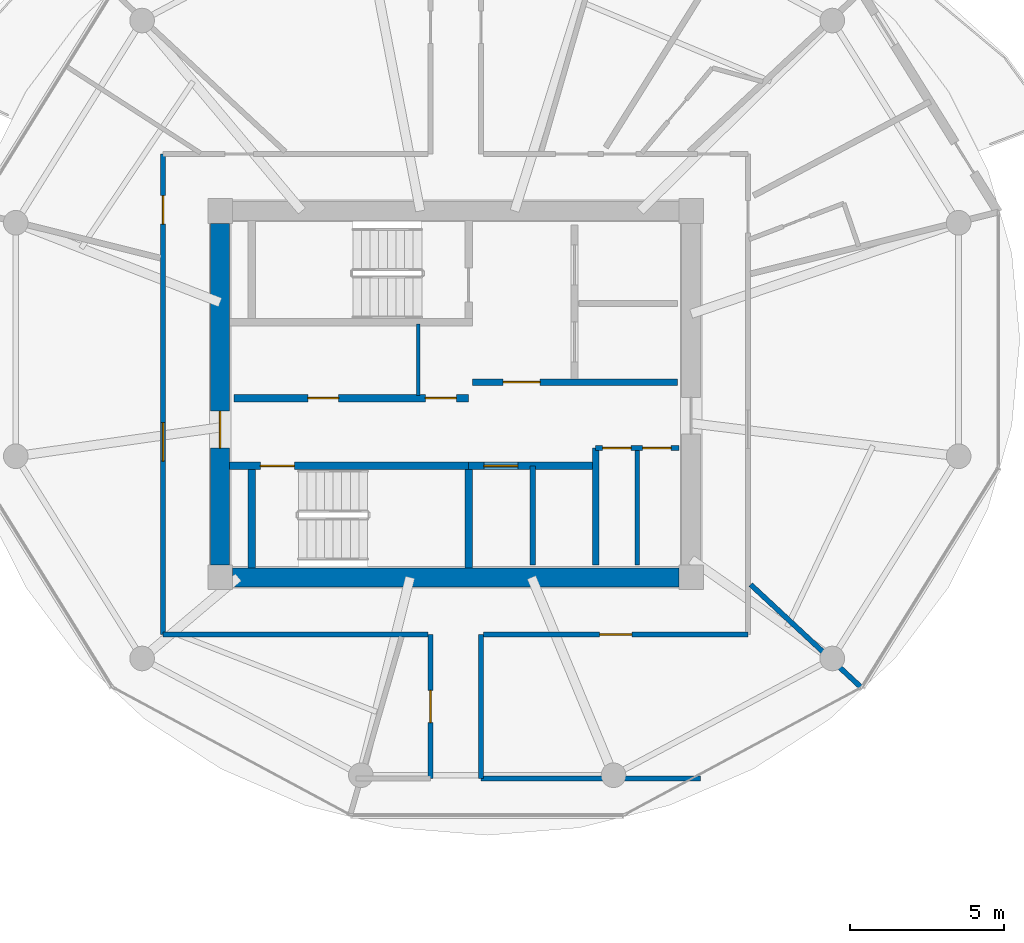
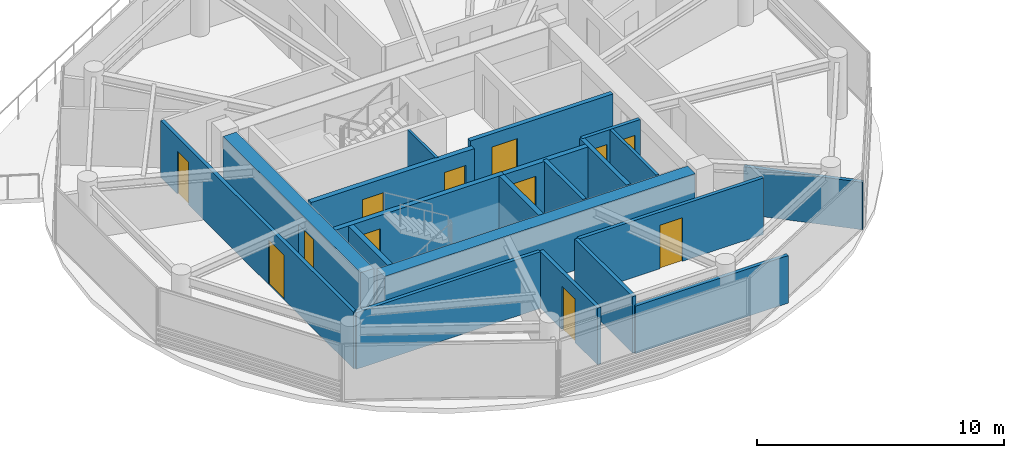
# One storey, part 12 of 21: 20 walls, 12 doors, 12 openings.
"""IFC4 building model written with IfcOpenShell, lengths in metres."""

from ifc_helpers import new_model, si_unit, direction, frame, frame_2d, origin, place, context, subcontext, project, spatial, rectangle, extrude, source, transform, mapped, material, layer, layer_set, type_object, type_shapes, element, fill, save


model = new_model("IFC4")

# Units and contexts
model_context = context("Model", 3, precision=1e-05, world=origin(), true_north=direction((0.0, 1.0)))
body_context = subcontext(model_context, "Body", "Model", "MODEL_VIEW")
ifc_project = project(units=[si_unit("LENGTHUNIT", "METRE"), si_unit("AREAUNIT", "SQUARE_METRE"), si_unit("VOLUMEUNIT", "CUBIC_METRE"), si_unit("PLANEANGLEUNIT", "RADIAN"), si_unit("MASSUNIT", "GRAM", prefix="KILO")], contexts=[model_context])

# Site, building, storey
site_placement = place(None, origin())
site = spatial("IfcSite", under=ifc_project, at=site_placement, CompositionType="ELEMENT")
building_placement = place(site_placement, origin())
building = spatial("IfcBuilding", under=site, at=building_placement, Name="Norrkilde Senior Care Towers", CompositionType="ELEMENT")
storey_placement = place(building_placement, frame((0.0, 0.0, 143.449951171875)))
storey = spatial("IfcBuildingStorey", under=building, at=storey_placement, Name="L44", CompositionType="ELEMENT", Elevation=143.449951171875)

# Wall
ifc_material_1 = material(Name="Concrete C50/60", Category="concrete")
ifc_layer_1 = layer(ifc_material_1, 0.6201171875)
ifc_layer_set_1 = layer_set([ifc_layer_1], Name="Concrete C50/60")
wall_type_1 = type_object("IfcWallType", Name="Core Shear Wall Z3 620", PredefinedType="SHEAR", material=ifc_layer_set_1)
shared_shape_1 = source(origin(), body_context, "Body", "SweptSolid", [
    extrude(rectangle(XDim=14.5, YDim=0.6201171875, at=frame_2d((7.25, 0.0))), origin(), (0.0, 0.0, 1.0), 2.81005859375),
])
wall_1_placement = place(storey_placement, frame((-20.75, -5.949951171875, 0.0), z_axis=(0.0, 0.0, 1.0), x_axis=(-1.0, 0.0, 0.0)))
element("IfcWall", 1, at=wall_1_placement, inside=storey, type_object=wall_type_1, Name="L44 Core W South Shear Wall", PredefinedType="SHEAR", context=body_context, shape_type="MappedRepresentation", body=[
    mapped(shared_shape_1, transform((0.0, 0.0, 0.0), x_axis=(1.0, 0.0, 0.0), y_axis=(0.0, 1.0, 0.0), z_axis=(0.0, 0.0, 1.0), scale=1.0)),
])

# Wall, opening, door
shared_shape_2 = source(origin(), body_context, "Body", "SweptSolid", [
    extrude(rectangle(XDim=11.10009765625, YDim=0.6201171875, at=frame_2d((5.550048828125, 0.0))), origin(), (0.0, 0.0, 1.0), 2.81005859375),
])
type_shapes(wall_type_1, [shared_shape_1, shared_shape_2])
wall_2_placement = place(storey_placement, frame((-35.64990234375, -5.550048828125, 0.0), z_axis=(0.0, 0.0, 1.0), x_axis=(0.0, 1.0, 0.0)))
wall_2 = element("IfcWall", 2, at=wall_2_placement, inside=storey, type_object=wall_type_1, Name="L44 Core W West Shear Wall", PredefinedType="SHEAR", context=body_context, shape_type="MappedRepresentation", body=[
    mapped(shared_shape_2, transform((0.0, 0.0, 0.0), x_axis=(1.0, 0.0, 0.0), y_axis=(0.0, 1.0, 0.0), z_axis=(0.0, 0.0, 1.0), scale=1.0)),
])
opening_1_placement = place(wall_2_placement, frame((3.800048828125, 0.0, 0.0)))
opening_1 = element("IfcOpeningElement", 3, at=opening_1_placement, cuts=wall_2, Name="Opening D-04", PredefinedType="OPENING", context=body_context, shape_type="SweptSolid", body=[
    extrude(rectangle(XDim=1.199951171875, YDim=2.14990234375, at=frame_2d((0.60009765625, 1.074951171875))), frame((0.0, 0.320068359375, 0.0), z_axis=(0.0, -1.0, 0.0), x_axis=(1.0, 0.0, 0.0)), (0.0, 0.0, 1.0), 0.64013671875),
])
ifc_material_2 = material(Name="Galvanised Painted Steel", Category="steel")
door_type_1 = type_object("IfcDoorType", Name="Firefighting Lobby Fire Door 1200x2150", OperationType="NOTDEFINED", PredefinedType="DOOR", material=ifc_material_2)
shared_shape_3 = source(origin(), body_context, "Body", "SweptSolid", [
    extrude(rectangle(XDim=1.199951171875, YDim=2.14990234375, at=frame_2d((0.60009765625, 1.074951171875))), frame((0.0, 0.02490234375, 0.0), z_axis=(0.0, -1.0, 0.0), x_axis=(1.0, 0.0, 0.0)), (0.0, 0.0, 1.0), 0.050048828125),
])
type_shapes(door_type_1, [shared_shape_3])
door_1_placement = place(opening_1_placement, frame((1.199951171875, 0.0, 0.0), z_axis=(0.0, 0.0, 1.0), x_axis=(-1.0, 0.0, 0.0)))
door_1 = element("IfcDoor", 4, at=door_1_placement, inside=storey, type_object=door_type_1, Name="L44 Core W West Portal Door", OperationType="SINGLE_SWING_LEFT", OverallHeight=2.14990234375, OverallWidth=1.199951171875, PredefinedType="DOOR", context=body_context, shape_type="MappedRepresentation", body=[
    mapped(shared_shape_3, transform((0.0, 0.0, 0.0), x_axis=(1.0, 0.0, 0.0), y_axis=(0.0, 1.0, 0.0), z_axis=(0.0, 0.0, 1.0), scale=1.0)),
])
fill(opening_1, door_1)

ifc_material_3 = material(Name="Concrete C45/55", Category="concrete")
ifc_layer_2 = layer(ifc_material_3, 0.239990234375)
ifc_layer_set_2 = layer_set([ifc_layer_2], Name="Concrete C45/55")
wall_type_2 = type_object("IfcWallType", Name="Shaft and Stair Enclosure Wall 240", PredefinedType="PARTITIONING", material=ifc_layer_set_2)
shared_shape_4 = source(origin(), body_context, "Body", "SweptSolid", [
    extrude(rectangle(XDim=7.880126953125, YDim=0.239990234375, at=frame_2d((3.93994140625, 0.0))), origin(), (0.0, 0.0, 1.0), 2.81005859375),
])
wall_3_placement = place(storey_placement, frame((-35.340087890625, -2.330078125, 0.0), z_axis=(0.0, 0.0, 1.0), x_axis=(1.0, 0.0, 0.0)))
wall_3 = element("IfcWall", 5, at=wall_3_placement, inside=storey, type_object=wall_type_2, Name="WL-INT-L44-W-ST2N", PredefinedType="PARTITIONING", context=body_context, shape_type="MappedRepresentation", body=[
    mapped(shared_shape_4, transform((0.0, 0.0, 0.0), x_axis=(1.0, 0.0, 0.0), y_axis=(0.0, 1.0, 0.0), z_axis=(0.0, 0.0, 1.0), scale=1.0)),
])
opening_2_placement = place(wall_3_placement, frame((1.0, 0.0, 0.0)))
opening_2 = element("IfcOpeningElement", 6, at=opening_2_placement, cuts=wall_3, Name="Opening D-03", PredefinedType="OPENING", context=body_context, shape_type="SweptSolid", body=[
    extrude(rectangle(XDim=1.10009765625, YDim=2.14990234375, at=frame_2d((0.550048828125, 1.074951171875))), frame((0.0, 0.1298828125, 0.0), z_axis=(0.0, -1.0, 0.0), x_axis=(1.0, 0.0, 0.0)), (0.0, 0.0, 1.0), 0.260009765625),
])
door_type_2 = type_object("IfcDoorType", Name="Stairwell Protected Fire Door 1100x2150", OperationType="NOTDEFINED", PredefinedType="DOOR", material=ifc_material_2)
shared_shape_5 = source(origin(), body_context, "Body", "SweptSolid", [
    extrude(rectangle(XDim=1.10009765625, YDim=2.14990234375, at=frame_2d((0.550048828125, 1.074951171875))), frame((0.0, 0.02490234375, 0.0), z_axis=(0.0, -1.0, 0.0), x_axis=(1.0, 0.0, 0.0)), (0.0, 0.0, 1.0), 0.050048828125),
])
type_shapes(door_type_2, [shared_shape_5])
door_2_placement = place(opening_2_placement, frame((1.10009765625, 0.0, 0.0), z_axis=(0.0, 0.0, 1.0), x_axis=(-1.0, 0.0, 0.0)))
door_2 = element("IfcDoor", 7, at=door_2_placement, inside=storey, type_object=door_type_2, Name="L44 Stair W2 Fire Door", OperationType="SINGLE_SWING_RIGHT", OverallHeight=2.14990234375, OverallWidth=1.10009765625, PredefinedType="DOOR", context=body_context, shape_type="MappedRepresentation", body=[
    mapped(shared_shape_5, transform((0.0, 0.0, 0.0), x_axis=(1.0, 0.0, 0.0), y_axis=(0.0, 1.0, 0.0), z_axis=(0.0, 0.0, 1.0), scale=1.0)),
])
fill(opening_2, door_2)

# Walls
shared_shape_6 = source(origin(), body_context, "Body", "SweptSolid", [
    extrude(rectangle(XDim=3.18994140625, YDim=0.239990234375, at=frame_2d((1.594970703125, 0.0))), origin(), (0.0, 0.0, 1.0), 2.81005859375),
])
type_shapes(wall_type_2, [shared_shape_4, shared_shape_6])
for number, where, z_axis, x_axis, name in (
    (8, (-34.6201171875, -5.639892578125, 0.0), (0.0, 0.0, 1.0), (0.0, 1.0, 0.0), "WL-INT-L44-W-ST2W"),
    (9, (-27.580078125, -5.639892578125, 0.0), (0.0, 0.0, 1.0), (0.0, 1.0, 0.0), "WL-INT-L44-W-ST2E"),
):
    element("IfcWall", number, at=place(storey_placement, frame(where, z_axis=z_axis, x_axis=x_axis)), inside=storey, type_object=wall_type_2, Name=name, PredefinedType="PARTITIONING", context=body_context, shape_type="MappedRepresentation", body=[
        mapped(shared_shape_6, transform((0.0, 0.0, 0.0), x_axis=(1.0, 0.0, 0.0), y_axis=(0.0, 1.0, 0.0), z_axis=(0.0, 0.0, 1.0), scale=1.0)),
    ])
ifc_material_4 = material(Name="Gypsum Acoustic Board")
ifc_layer_3 = layer(ifc_material_4, 0.1650390625)
ifc_layer_set_3 = layer_set([ifc_layer_3], Name="Gypsum Acoustic Board")
wall_type_3 = type_object("IfcWallType", Name="Corridor Rated Partition 165", PredefinedType="PARTITIONING", material=ifc_layer_set_3)
shared_shape_7 = source(origin(), body_context, "Body", "SweptSolid", [
    extrude(rectangle(XDim=4.926513671875, YDim=0.1650390625, at=frame_2d((2.46337890625, 0.0))), origin(), (0.0, 0.0, 1.0), 2.344970703125),
])
wall_4_placement = place(storey_placement, frame((-18.419921875, -6.182861328125, 0.0), z_axis=(0.0, 0.0, 1.0), x_axis=(0.732191335987, -0.681098999783, 0.0)))
element("IfcWall", 10, at=wall_4_placement, inside=storey, type_object=wall_type_3, Name="WL-INT-L44-W-DEM-10-0", PredefinedType="PARTITIONING", context=body_context, shape_type="MappedRepresentation", body=[
    mapped(shared_shape_7, transform((0.0, 0.0, 0.0), x_axis=(1.0, 0.0, 0.0), y_axis=(0.0, 1.0, 0.0), z_axis=(0.0, 0.0, 1.0), scale=1.0)),
])
shared_shape_8 = source(origin(), body_context, "Body", "SweptSolid", [
    extrude(rectangle(XDim=7.138916015625, YDim=0.1650390625, at=frame_2d((3.5693359375, 0.0))), origin(), (0.0, 0.0, 1.0), 2.344970703125),
])
wall_5_placement = place(storey_placement, frame((-27.179931640625, -12.484619140625, 0.0), z_axis=(0.0, 0.0, 1.0), x_axis=(1.0, 0.0, 0.0)))
element("IfcWall", 11, at=wall_5_placement, inside=storey, type_object=wall_type_3, Name="WL-INT-L44-W-PKH-SEL-0", PredefinedType="PARTITIONING", context=body_context, shape_type="MappedRepresentation", body=[
    mapped(shared_shape_8, transform((0.0, 0.0, 0.0), x_axis=(1.0, 0.0, 0.0), y_axis=(0.0, 1.0, 0.0), z_axis=(0.0, 0.0, 1.0), scale=1.0)),
])

# Wall, opening, door
ifc_layer_4 = layer(ifc_material_3, 0.2099609375)
ifc_layer_set_4 = layer_set([ifc_layer_4], Name="Concrete C45/55")
wall_type_4 = type_object("IfcWallType", Name="Firefighting Lobby Wall 210", PredefinedType="PARTITIONING", material=ifc_layer_set_4)
shared_shape_9 = source(origin(), body_context, "Body", "SweptSolid", [
    extrude(rectangle(XDim=6.659912109375, YDim=0.2099609375, at=frame_2d((3.330078125, 0.0))), origin(), (0.0, 0.0, 1.0), 2.795166015625),
])
type_shapes(wall_type_4, [shared_shape_9])
wall_6_placement = place(storey_placement, frame((-27.4599609375, 0.389892578125, 0.0), z_axis=(0.0, 0.0, 1.0), x_axis=(1.0, 0.0, 0.0)))
wall_6 = element("IfcWall", 12, at=wall_6_placement, inside=storey, type_object=wall_type_4, Name="WL-INT-L44-W-FFLS", PredefinedType="PARTITIONING", context=body_context, shape_type="MappedRepresentation", body=[
    mapped(shared_shape_9, transform((0.0, 0.0, 0.0), x_axis=(1.0, 0.0, 0.0), y_axis=(0.0, 1.0, 0.0), z_axis=(0.0, 0.0, 1.0), scale=1.0)),
])
opening_3_placement = place(wall_6_placement, frame((1.0, 0.0, 0.0)))
opening_3 = element("IfcOpeningElement", 13, at=opening_3_placement, cuts=wall_6, Name="Opening D-04", PredefinedType="OPENING", context=body_context, shape_type="SweptSolid", body=[
    extrude(rectangle(XDim=1.199951171875, YDim=2.14990234375, at=frame_2d((0.60009765625, 1.074951171875))), frame((0.0, 0.114990234375, 0.0), z_axis=(0.0, -1.0, 0.0), x_axis=(1.0, 0.0, 0.0)), (0.0, 0.0, 1.0), 0.22998046875),
])
door_3_placement = place(opening_3_placement, frame((1.199951171875, 0.0, 0.0), z_axis=(0.0, 0.0, 1.0), x_axis=(-1.0, 0.0, 0.0)))
door_3 = element("IfcDoor", 14, at=door_3_placement, inside=storey, type_object=door_type_1, Name="L44 Firefighting Lobby W Door", OperationType="SINGLE_SWING_LEFT", OverallHeight=2.14990234375, OverallWidth=1.199951171875, PredefinedType="DOOR", context=body_context, shape_type="MappedRepresentation", body=[
    mapped(shared_shape_3, transform((0.0, 0.0, 0.0), x_axis=(1.0, 0.0, 0.0), y_axis=(0.0, 1.0, 0.0), z_axis=(0.0, 0.0, 1.0), scale=1.0)),
])
fill(opening_3, door_3)

# Wall, openings, doors
ifc_layer_5 = layer(ifc_material_3, 0.239990234375)
ifc_layer_set_5 = layer_set([ifc_layer_5], Name="Concrete C45/55")
wall_type_5 = type_object("IfcWallType", Name="Lift and Plant Rated Enclosure Partition 240", PredefinedType="PARTITIONING", material=ifc_layer_set_5)
shared_shape_10 = source(origin(), body_context, "Body", "SweptSolid", [
    extrude(rectangle(XDim=7.619873046875, YDim=0.239990234375, at=frame_2d((3.81005859375, 0.0))), origin(), (0.0, 0.0, 1.0), 2.795166015625),
])
wall_7_placement = place(storey_placement, frame((-35.199951171875, -0.1298828125, 0.0), z_axis=(0.0, 0.0, 1.0), x_axis=(1.0, 0.0, 0.0)))
wall_7 = element("IfcWall", 15, at=wall_7_placement, inside=storey, type_object=wall_type_5, Name="WL-INT-L44-W-PKAS", PredefinedType="PARTITIONING", context=body_context, shape_type="MappedRepresentation", body=[
    mapped(shared_shape_10, transform((0.0, 0.0, 0.0), x_axis=(1.0, 0.0, 0.0), y_axis=(0.0, 1.0, 0.0), z_axis=(0.0, 0.0, 1.0), scale=1.0)),
])
opening_4_placement = place(wall_7_placement, frame((6.219970703125, 0.0, 0.0)))
opening_4 = element("IfcOpeningElement", 16, at=opening_4_placement, cuts=wall_7, Name="Opening D-10", PredefinedType="OPENING", context=body_context, shape_type="SweptSolid", body=[
    extrude(rectangle(XDim=1.0, YDim=2.10009765625, at=frame_2d((0.5, 1.050048828125))), frame((0.0, 0.1298828125, 0.0), z_axis=(0.0, -1.0, 0.0), x_axis=(1.0, 0.0, 0.0)), (0.0, 0.0, 1.0), 0.260009765625),
])
opening_5_placement = place(wall_7_placement, frame((2.39990234375, 0.0, 0.0)))
opening_5 = element("IfcOpeningElement", 17, at=opening_5_placement, cuts=wall_7, Name="Opening D-10", PredefinedType="OPENING", context=body_context, shape_type="SweptSolid", body=[
    extrude(rectangle(XDim=1.0, YDim=2.10009765625, at=frame_2d((0.5, 1.050048828125))), frame((0.0, 0.1298828125, 0.0), z_axis=(0.0, -1.0, 0.0), x_axis=(1.0, 0.0, 0.0)), (0.0, 0.0, 1.0), 0.260009765625),
])
door_type_3 = type_object("IfcDoorType", Name="Plant and Riser Rated Door 1000x2100", OperationType="NOTDEFINED", PredefinedType="DOOR", material=ifc_material_2)
shared_shape_11 = source(origin(), body_context, "Body", "SweptSolid", [
    extrude(rectangle(XDim=1.0, YDim=2.10009765625, at=frame_2d((0.5, 1.050048828125))), frame((0.0, 0.02490234375, 0.0), z_axis=(0.0, -1.0, 0.0), x_axis=(1.0, 0.0, 0.0)), (0.0, 0.0, 1.0), 0.050048828125),
])
type_shapes(door_type_3, [shared_shape_11])
door_4_placement = place(opening_4_placement, frame((1.0, 0.0, 0.0), z_axis=(0.0, 0.0, 1.0), x_axis=(-1.0, 0.0, 0.0)))
door_4 = element("IfcDoor", 18, at=door_4_placement, inside=storey, type_object=door_type_3, Name="L44 Electrical Riser W Door", OperationType="SINGLE_SWING_LEFT", OverallHeight=2.10009765625, OverallWidth=1.0, PredefinedType="DOOR", context=body_context, shape_type="MappedRepresentation", body=[
    mapped(shared_shape_11, transform((0.0, 0.0, 0.0), x_axis=(1.0, 0.0, 0.0), y_axis=(0.0, 1.0, 0.0), z_axis=(0.0, 0.0, 1.0), scale=1.0)),
])
fill(opening_4, door_4)
door_5_placement = place(opening_5_placement, frame((1.0, 0.0, 0.0), z_axis=(0.0, 0.0, 1.0), x_axis=(-1.0, 0.0, 0.0)))
door_5 = element("IfcDoor", 19, at=door_5_placement, inside=storey, type_object=door_type_3, Name="L44 Clean Supply Store W Door", OperationType="SINGLE_SWING_LEFT", OverallHeight=2.10009765625, OverallWidth=1.0, PredefinedType="DOOR", context=body_context, shape_type="MappedRepresentation", body=[
    mapped(shared_shape_11, transform((0.0, 0.0, 0.0), x_axis=(1.0, 0.0, 0.0), y_axis=(0.0, 1.0, 0.0), z_axis=(0.0, 0.0, 1.0), scale=1.0)),
])
fill(opening_5, door_5)

# Walls
ifc_layer_6 = layer(ifc_material_4, 0.114990234375)
ifc_layer_set_6 = layer_set([ifc_layer_6], Name="Gypsum Acoustic Board")
wall_type_6 = type_object("IfcWallType", Name="Internal Room Partition 115", PredefinedType="PARTITIONING", material=ifc_layer_set_6)
shared_shape_12 = source(origin(), body_context, "Body", "SweptSolid", [
    extrude(rectangle(XDim=2.330078125, YDim=0.114990234375, at=frame_2d((1.1650390625, 0.0))), origin(), (0.0, 0.0, 1.0), 2.795166015625),
])
type_shapes(wall_type_6, [shared_shape_12])
wall_8_placement = place(storey_placement, frame((-29.2099609375, -0.050048828125, 0.0), z_axis=(0.0, 0.0, 1.0), x_axis=(0.0, 1.0, 0.0)))
element("IfcWall", 20, at=wall_8_placement, inside=storey, type_object=wall_type_6, Name="WL-INT-L44-W-RISW", PredefinedType="PARTITIONING", context=body_context, shape_type="MappedRepresentation", body=[
    mapped(shared_shape_12, transform((0.0, 0.0, 0.0), x_axis=(1.0, 0.0, 0.0), y_axis=(0.0, 1.0, 0.0), z_axis=(0.0, 0.0, 1.0), scale=1.0)),
])
ifc_layer_7 = layer(ifc_material_3, 0.199951171875)
ifc_layer_set_7 = layer_set([ifc_layer_7], Name="Concrete C45/55")
wall_type_7 = type_object("IfcWallType", Name="Shaft Division and Plant Partition 200", PredefinedType="PARTITIONING", material=ifc_layer_set_7)
shared_shape_13 = source(origin(), body_context, "Body", "SweptSolid", [
    extrude(rectangle(XDim=3.800048828125, YDim=0.199951171875, at=frame_2d((1.89990234375, 0.0))), origin(), (0.0, 0.0, 1.0), 2.795166015625),
])
type_shapes(wall_type_7, [shared_shape_13])
wall_9_placement = place(storey_placement, frame((-23.449951171875, -5.550048828125, 0.0), z_axis=(0.0, 0.0, 1.0), x_axis=(0.0, 1.0, 0.0)))
element("IfcWall", 21, at=wall_9_placement, inside=storey, type_object=wall_type_7, Name="WL-INT-L44-W-PKBE", PredefinedType="PARTITIONING", context=body_context, shape_type="MappedRepresentation", body=[
    mapped(shared_shape_13, transform((0.0, 0.0, 0.0), x_axis=(1.0, 0.0, 0.0), y_axis=(0.0, 1.0, 0.0), z_axis=(0.0, 0.0, 1.0), scale=1.0)),
])

# Wall, opening, door
shared_shape_14 = source(origin(), body_context, "Body", "SweptSolid", [
    extrude(rectangle(XDim=4.130126953125, YDim=0.239990234375, at=frame_2d((2.06494140625, 0.0))), origin(), (0.0, 0.0, 1.0), 2.795166015625),
])
type_shapes(wall_type_5, [shared_shape_10, shared_shape_14])
wall_10_placement = place(storey_placement, frame((-27.580078125, -2.330078125, 0.0), z_axis=(0.0, 0.0, 1.0), x_axis=(1.0, 0.0, 0.0)))
wall_10 = element("IfcWall", 22, at=wall_10_placement, inside=storey, type_object=wall_type_5, Name="WL-INT-L44-W-PKBN", PredefinedType="PARTITIONING", context=body_context, shape_type="MappedRepresentation", body=[
    mapped(shared_shape_14, transform((0.0, 0.0, 0.0), x_axis=(1.0, 0.0, 0.0), y_axis=(0.0, 1.0, 0.0), z_axis=(0.0, 0.0, 1.0), scale=1.0)),
])
opening_6_placement = place(wall_10_placement, frame((0.5, 0.0, 0.0)))
opening_6 = element("IfcOpeningElement", 23, at=opening_6_placement, cuts=wall_10, Name="Opening LD-01", PredefinedType="OPENING", context=body_context, shape_type="SweptSolid", body=[
    extrude(rectangle(XDim=1.10009765625, YDim=2.199951171875, at=frame_2d((0.550048828125, 1.10009765625))), frame((0.0, 0.1298828125, 0.0), z_axis=(0.0, -1.0, 0.0), x_axis=(1.0, 0.0, 0.0)), (0.0, 0.0, 1.0), 0.260009765625),
])
ifc_material_5 = material(Name="Stainless Steel", Category="steel")
door_type_4 = type_object("IfcDoorType", Name="Lift Landing Sliding Door 1100x2200", OperationType="NOTDEFINED", PredefinedType="DOOR", material=ifc_material_5)
shared_shape_15 = source(origin(), body_context, "Body", "SweptSolid", [
    extrude(rectangle(XDim=1.10009765625, YDim=2.199951171875, at=frame_2d((0.550048828125, 1.10009765625))), frame((0.0, 0.02490234375, 0.0), z_axis=(0.0, -1.0, 0.0), x_axis=(1.0, 0.0, 0.0)), (0.0, 0.0, 1.0), 0.050048828125),
])
type_shapes(door_type_4, [shared_shape_15])
door_6_placement = place(opening_6_placement, frame((1.10009765625, 0.0, 0.0), z_axis=(0.0, 0.0, 1.0), x_axis=(-1.0, 0.0, 0.0)))
door_6 = element("IfcDoor", 24, at=door_6_placement, inside=storey, type_object=door_type_4, Name="L44 Passenger Lift W3 Landing Door", OperationType="SLIDING_TO_LEFT", OverallHeight=2.199951171875, OverallWidth=1.10009765625, PredefinedType="DOOR", context=body_context, shape_type="MappedRepresentation", body=[
    mapped(shared_shape_15, transform((0.0, 0.0, 0.0), x_axis=(1.0, 0.0, 0.0), y_axis=(0.0, 1.0, 0.0), z_axis=(0.0, 0.0, 1.0), scale=1.0)),
])
fill(opening_6, door_6)

# Wall
ifc_layer_8 = layer(ifc_material_3, 0.179931640625)
ifc_layer_set_8 = layer_set([ifc_layer_8], Name="Concrete C45/55")
wall_type_8 = type_object("IfcWallType", Name="Hoistway Division Rated Partition 180", PredefinedType="PARTITIONING", material=ifc_layer_set_8)
shared_shape_16 = source(origin(), body_context, "Body", "SweptSolid", [
    extrude(rectangle(XDim=3.219970703125, YDim=0.179931640625, at=frame_2d((1.60986328125, 0.0))), origin(), (0.0, 0.0, 1.0), 2.795166015625),
])
type_shapes(wall_type_8, [shared_shape_16])
wall_11_placement = place(storey_placement, frame((-25.5, -5.550048828125, 0.0), z_axis=(0.0, 0.0, 1.0), x_axis=(0.0, 1.0, 0.0)))
element("IfcWall", 25, at=wall_11_placement, inside=storey, type_object=wall_type_8, Name="WL-INT-L44-W-PL34", PredefinedType="PARTITIONING", context=body_context, shape_type="MappedRepresentation", body=[
    mapped(shared_shape_16, transform((0.0, 0.0, 0.0), x_axis=(1.0, 0.0, 0.0), y_axis=(0.0, 1.0, 0.0), z_axis=(0.0, 0.0, 1.0), scale=1.0)),
])

# Wall, openings, doors
shared_shape_17 = source(origin(), body_context, "Body", "SweptSolid", [
    extrude(rectangle(XDim=2.699951171875, YDim=0.1650390625, at=frame_2d((1.35009765625, 0.0))), origin(), (0.0, 0.0, 1.0), 2.795166015625),
])
wall_12_placement = place(storey_placement, frame((-23.449951171875, -1.75, 0.0), z_axis=(0.0, 0.0, 1.0), x_axis=(1.0, 0.0, 0.0)))
wall_12 = element("IfcWall", 26, at=wall_12_placement, inside=storey, type_object=wall_type_3, Name="WL-INT-L44-W-CSN", PredefinedType="PARTITIONING", context=body_context, shape_type="MappedRepresentation", body=[
    mapped(shared_shape_17, transform((0.0, 0.0, 0.0), x_axis=(1.0, 0.0, 0.0), y_axis=(0.0, 1.0, 0.0), z_axis=(0.0, 0.0, 1.0), scale=1.0)),
])
opening_7_placement = place(wall_12_placement, frame((0.222412109375, 0.0, 0.0)))
opening_7 = element("IfcOpeningElement", 27, at=opening_7_placement, cuts=wall_12, Name="Opening D-12", PredefinedType="OPENING", context=body_context, shape_type="SweptSolid", body=[
    extrude(rectangle(XDim=0.925048828125, YDim=2.10009765625, at=frame_2d((0.46240234375, 1.050048828125))), frame((0.0, 0.092529296875, 0.0), z_axis=(0.0, -1.0, 0.0), x_axis=(1.0, 0.0, 0.0)), (0.0, 0.0, 1.0), 0.18505859375),
])
opening_8_placement = place(wall_12_placement, frame((1.5224609375, 0.0, 0.0)))
opening_8 = element("IfcOpeningElement", 28, at=opening_8_placement, cuts=wall_12, Name="Opening D-12", PredefinedType="OPENING", context=body_context, shape_type="SweptSolid", body=[
    extrude(rectangle(XDim=0.925048828125, YDim=2.10009765625, at=frame_2d((0.46240234375, 1.050048828125))), frame((0.0, 0.092529296875, 0.0), z_axis=(0.0, -1.0, 0.0), x_axis=(1.0, 0.0, 0.0)), (0.0, 0.0, 1.0), 0.18505859375),
])
door_type_5 = type_object("IfcDoorType", Name="Core Wet Room Rated Door 925x2100", OperationType="NOTDEFINED", PredefinedType="DOOR", material=ifc_material_2)
shared_shape_18 = source(origin(), body_context, "Body", "SweptSolid", [
    extrude(rectangle(XDim=0.925048828125, YDim=2.10009765625, at=frame_2d((0.46240234375, 1.050048828125))), frame((0.0, 0.02490234375, 0.0), z_axis=(0.0, -1.0, 0.0), x_axis=(1.0, 0.0, 0.0)), (0.0, 0.0, 1.0), 0.050048828125),
])
type_shapes(door_type_5, [shared_shape_18])
door_7_placement = place(opening_7_placement, origin())
door_7 = element("IfcDoor", 29, at=door_7_placement, inside=storey, type_object=door_type_5, Name="L44 Staff Accessible WC W Door", OperationType="SINGLE_SWING_LEFT", OverallHeight=2.10009765625, OverallWidth=0.925048828125, PredefinedType="DOOR", context=body_context, shape_type="MappedRepresentation", body=[
    mapped(shared_shape_18, transform((0.0, 0.0, 0.0), x_axis=(1.0, 0.0, 0.0), y_axis=(0.0, 1.0, 0.0), z_axis=(0.0, 0.0, 1.0), scale=1.0)),
])
fill(opening_7, door_7)
door_8_placement = place(opening_8_placement, origin())
door_8 = element("IfcDoor", 30, at=door_8_placement, inside=storey, type_object=door_type_5, Name="L44 Housekeeping Store W Door", OperationType="SINGLE_SWING_RIGHT", OverallHeight=2.10009765625, OverallWidth=0.925048828125, PredefinedType="DOOR", context=body_context, shape_type="MappedRepresentation", body=[
    mapped(shared_shape_18, transform((0.0, 0.0, 0.0), x_axis=(1.0, 0.0, 0.0), y_axis=(0.0, 1.0, 0.0), z_axis=(0.0, 0.0, 1.0), scale=1.0)),
])
fill(opening_8, door_8)

# Wall, opening, door
shared_shape_19 = source(origin(), body_context, "Body", "SweptSolid", [
    extrude(rectangle(XDim=8.60009765625, YDim=0.1650390625, at=frame_2d((4.300048828125, 0.0))), origin(), (0.0, 0.0, 1.0), 2.795166015625),
])
wall_13_placement = place(storey_placement, frame((-18.5, -7.800048828125, 0.0), z_axis=(0.0, 0.0, 1.0), x_axis=(-1.0, 0.0, 0.0)))
wall_13 = element("IfcWall", 31, at=wall_13_placement, inside=storey, type_object=wall_type_3, Name="WL-INT-L44-W-CRW-S-0", PredefinedType="PARTITIONING", context=body_context, shape_type="MappedRepresentation", body=[
    mapped(shared_shape_19, transform((0.0, 0.0, 0.0), x_axis=(1.0, 0.0, 0.0), y_axis=(0.0, 1.0, 0.0), z_axis=(0.0, 0.0, 1.0), scale=1.0)),
])
opening_9_placement = place(wall_13_placement, frame((3.77490234375, 0.0, 0.0)))
opening_9 = element("IfcOpeningElement", 32, at=opening_9_placement, cuts=wall_13, Name="Opening D-06", PredefinedType="OPENING", context=body_context, shape_type="SweptSolid", body=[
    extrude(rectangle(XDim=1.050048828125, YDim=2.14990234375, at=frame_2d((0.52490234375, 1.074951171875))), frame((0.0, 0.092529296875, 0.0), z_axis=(0.0, -1.0, 0.0), x_axis=(1.0, 0.0, 0.0)), (0.0, 0.0, 1.0), 0.18505859375),
])
ifc_material_6 = material(Name="Nordic Ash Timber", Category="wood")
door_type_6 = type_object("IfcDoorType", Name="Apartment Entrance Fire Door 1050x2150", OperationType="NOTDEFINED", PredefinedType="DOOR", material=ifc_material_6)
shared_shape_20 = source(origin(), body_context, "Body", "SweptSolid", [
    extrude(rectangle(XDim=1.050048828125, YDim=2.14990234375, at=frame_2d((0.52490234375, 1.074951171875))), frame((0.0, 0.02490234375, 0.0), z_axis=(0.0, -1.0, 0.0), x_axis=(1.0, 0.0, 0.0)), (0.0, 0.0, 1.0), 0.050048828125),
])
type_shapes(door_type_6, [shared_shape_20])
door_9_placement = place(opening_9_placement, frame((1.050048828125, 0.0, 0.0), z_axis=(0.0, 0.0, 1.0), x_axis=(-1.0, 0.0, 0.0)))
door_9 = element("IfcDoor", 33, at=door_9_placement, inside=storey, type_object=door_type_6, Name="L44 Reading Lounge SEL Door", OperationType="SINGLE_SWING_RIGHT", OverallHeight=2.14990234375, OverallWidth=1.050048828125, PredefinedType="DOOR", context=body_context, shape_type="MappedRepresentation", body=[
    mapped(shared_shape_20, transform((0.0, 0.0, 0.0), x_axis=(1.0, 0.0, 0.0), y_axis=(0.0, 1.0, 0.0), z_axis=(0.0, 0.0, 1.0), scale=1.0)),
])
fill(opening_9, door_9)

# Wall
wall_14_placement = place(storey_placement, frame((-28.89990234375, -7.800048828125, 0.0), z_axis=(0.0, 0.0, 1.0), x_axis=(-1.0, 0.0, 0.0)))
element("IfcWall", 34, at=wall_14_placement, inside=storey, type_object=wall_type_3, Name="WL-INT-L44-W-CRW-S-1", PredefinedType="PARTITIONING", context=body_context, shape_type="MappedRepresentation", body=[
    mapped(shared_shape_19, transform((0.0, 0.0, 0.0), x_axis=(1.0, 0.0, 0.0), y_axis=(0.0, 1.0, 0.0), z_axis=(0.0, 0.0, 1.0), scale=1.0)),
])

# Wall, openings, doors
shared_shape_21 = source(origin(), body_context, "Body", "SweptSolid", [
    extrude(rectangle(XDim=15.60009765625, YDim=0.1650390625, at=frame_2d((7.800048828125, 0.0))), origin(), (0.0, 0.0, 1.0), 2.795166015625),
])
wall_15_placement = place(storey_placement, frame((-37.5, -7.800048828125, 0.0), z_axis=(0.0, 0.0, 1.0), x_axis=(0.0, 1.0, 0.0)))
wall_15 = element("IfcWall", 35, at=wall_15_placement, inside=storey, type_object=wall_type_3, Name="WL-INT-L44-W-CRW-W-0", PredefinedType="PARTITIONING", context=body_context, shape_type="MappedRepresentation", body=[
    mapped(shared_shape_21, transform((0.0, 0.0, 0.0), x_axis=(1.0, 0.0, 0.0), y_axis=(0.0, 1.0, 0.0), z_axis=(0.0, 0.0, 1.0), scale=1.0)),
])
opening_10_placement = place(wall_15_placement, frame((13.325439453125, 0.0, 0.0)))
opening_10 = element("IfcOpeningElement", 36, at=opening_10_placement, cuts=wall_15, Name="Opening D-08", PredefinedType="OPENING", context=body_context, shape_type="SweptSolid", body=[
    extrude(rectangle(XDim=0.919921875, YDim=2.10009765625, at=frame_2d((0.4599609375, 1.050048828125))), frame((0.0, 0.092529296875, 0.0), z_axis=(0.0, -1.0, 0.0), x_axis=(1.0, 0.0, 0.0)), (0.0, 0.0, 1.0), 0.18505859375),
])
opening_11_placement = place(wall_15_placement, frame((5.62841796875, 0.0, 0.0)))
opening_11 = element("IfcOpeningElement", 37, at=opening_11_placement, cuts=wall_15, Name="Opening D-05", PredefinedType="OPENING", context=body_context, shape_type="SweptSolid", body=[
    extrude(rectangle(XDim=1.25, YDim=2.199951171875, at=frame_2d((0.625, 1.10009765625))), frame((0.0, 0.092529296875, 0.0), z_axis=(0.0, -1.0, 0.0), x_axis=(1.0, 0.0, 0.0)), (0.0, 0.0, 1.0), 0.18505859375),
])
door_type_7 = type_object("IfcDoorType", Name="Care Bedroom Bariatric Door 1250x2200", OperationType="NOTDEFINED", PredefinedType="DOOR", material=ifc_material_6)
shared_shape_22 = source(origin(), body_context, "Body", "SweptSolid", [
    extrude(rectangle(XDim=1.25, YDim=2.199951171875, at=frame_2d((0.625, 1.10009765625))), frame((0.0, 0.02490234375, 0.0), z_axis=(0.0, -1.0, 0.0), x_axis=(1.0, 0.0, 0.0)), (0.0, 0.0, 1.0), 0.050048828125),
])
type_shapes(door_type_7, [shared_shape_22])
door_10_placement = place(opening_11_placement, frame((1.25, 0.0, 0.0), z_axis=(0.0, 0.0, 1.0), x_axis=(-1.0, 0.0, 0.0)))
door_10 = element("IfcDoor", 38, at=door_10_placement, inside=storey, type_object=door_type_7, Name="L44 Geriatric Rehabilitation Clinic Door", OperationType="SINGLE_SWING_RIGHT", OverallHeight=2.199951171875, OverallWidth=1.25, PredefinedType="DOOR", context=body_context, shape_type="MappedRepresentation", body=[
    mapped(shared_shape_22, transform((0.0, 0.0, 0.0), x_axis=(1.0, 0.0, 0.0), y_axis=(0.0, 1.0, 0.0), z_axis=(0.0, 0.0, 1.0), scale=1.0)),
])
fill(opening_11, door_10)
door_type_8 = type_object("IfcDoorType", Name="Accessible Wet Room Door 920x2100", OperationType="NOTDEFINED", PredefinedType="DOOR", material=ifc_material_6)
shared_shape_23 = source(origin(), body_context, "Body", "SweptSolid", [
    extrude(rectangle(XDim=0.919921875, YDim=2.10009765625, at=frame_2d((0.4599609375, 1.050048828125))), frame((0.0, 0.02490234375, 0.0), z_axis=(0.0, -1.0, 0.0), x_axis=(1.0, 0.0, 0.0)), (0.0, 0.0, 1.0), 0.050048828125),
])
type_shapes(door_type_8, [shared_shape_23])
door_11_placement = place(opening_10_placement, frame((0.919921875, 0.0, 0.0), z_axis=(0.0, 0.0, 1.0), x_axis=(-1.0, 0.0, 0.0)))
door_11 = element("IfcDoor", 39, at=door_11_placement, inside=storey, type_object=door_type_8, Name="L44 Public Restroom Door", OperationType="SINGLE_SWING_RIGHT", OverallHeight=2.10009765625, OverallWidth=0.919921875, PredefinedType="DOOR", context=body_context, shape_type="MappedRepresentation", body=[
    mapped(shared_shape_23, transform((0.0, 0.0, 0.0), x_axis=(1.0, 0.0, 0.0), y_axis=(0.0, 1.0, 0.0), z_axis=(0.0, 0.0, 1.0), scale=1.0)),
])
fill(opening_10, door_11)

# Wall, opening, door
shared_shape_24 = source(origin(), body_context, "Body", "SweptSolid", [
    extrude(rectangle(XDim=4.6845703125, YDim=0.1650390625, at=frame_2d((2.34228515625, 0.0))), origin(), (0.0, 0.0, 1.0), 2.795166015625),
])
type_shapes(wall_type_3, [shared_shape_7, shared_shape_8, shared_shape_17, shared_shape_19, shared_shape_21, shared_shape_24])
wall_16_placement = place(storey_placement, frame((-28.820068359375, -12.484619140625, 0.0), z_axis=(0.0, 0.0, 1.0), x_axis=(0.0, 1.0, 0.0)))
wall_16 = element("IfcWall", 40, at=wall_16_placement, inside=storey, type_object=wall_type_3, Name="WL-INT-L44-W-PKW-SWL", PredefinedType="PARTITIONING", context=body_context, shape_type="MappedRepresentation", body=[
    mapped(shared_shape_24, transform((0.0, 0.0, 0.0), x_axis=(1.0, 0.0, 0.0), y_axis=(0.0, 1.0, 0.0), z_axis=(0.0, 0.0, 1.0), scale=1.0)),
])
opening_12_placement = place(wall_16_placement, frame((1.8173828125, 0.0, 0.0)))
opening_12 = element("IfcOpeningElement", 41, at=opening_12_placement, cuts=wall_16, Name="Opening D-06", PredefinedType="OPENING", context=body_context, shape_type="SweptSolid", body=[
    extrude(rectangle(XDim=1.050048828125, YDim=2.14990234375, at=frame_2d((0.52490234375, 1.074951171875))), frame((0.0, 0.092529296875, 0.0), z_axis=(0.0, -1.0, 0.0), x_axis=(1.0, 0.0, 0.0)), (0.0, 0.0, 1.0), 0.18505859375),
])
door_12_placement = place(opening_12_placement, frame((1.050048828125, 0.0, 0.0), z_axis=(0.0, 0.0, 1.0), x_axis=(-1.0, 0.0, 0.0)))
door_12 = element("IfcDoor", 42, at=door_12_placement, inside=storey, type_object=door_type_6, Name="L44 Reading Lounge SWL Door", OperationType="SINGLE_SWING_RIGHT", OverallHeight=2.14990234375, OverallWidth=1.050048828125, PredefinedType="DOOR", context=body_context, shape_type="MappedRepresentation", body=[
    mapped(shared_shape_20, transform((0.0, 0.0, 0.0), x_axis=(1.0, 0.0, 0.0), y_axis=(0.0, 1.0, 0.0), z_axis=(0.0, 0.0, 1.0), scale=1.0)),
])
fill(opening_12, door_12)

# Walls
wall_17_placement = place(storey_placement, frame((-27.179931640625, -12.484619140625, 0.0), z_axis=(0.0, 0.0, 1.0), x_axis=(0.0, 1.0, 0.0)))
element("IfcWall", 43, at=wall_17_placement, inside=storey, type_object=wall_type_3, Name="WL-INT-L44-W-PKW-SEL", PredefinedType="PARTITIONING", context=body_context, shape_type="MappedRepresentation", body=[
    mapped(shared_shape_24, transform((0.0, 0.0, 0.0), x_axis=(1.0, 0.0, 0.0), y_axis=(0.0, 1.0, 0.0), z_axis=(0.0, 0.0, 1.0), scale=1.0)),
])
ifc_layer_9 = layer(ifc_material_4, 0.139892578125)
ifc_layer_set_9 = layer_set([ifc_layer_9], Name="Gypsum Acoustic Board")
wall_type_9 = type_object("IfcWallType", Name="En-suite Wet Room Wall 140", PredefinedType="PARTITIONING", material=ifc_layer_set_9)
shared_shape_25 = source(origin(), body_context, "Body", "SweptSolid", [
    extrude(rectangle(XDim=3.800048828125, YDim=0.139892578125, at=frame_2d((1.89990234375, 0.0))), origin(), (0.0, 0.0, 1.0), 2.795166015625),
])
type_shapes(wall_type_9, [shared_shape_25])
wall_18_placement = place(storey_placement, frame((-22.10009765625, -5.550048828125, 0.0), z_axis=(0.0, 0.0, 1.0), x_axis=(0.0, 1.0, 0.0)))
element("IfcWall", 44, at=wall_18_placement, inside=storey, type_object=wall_type_9, Name="WL-INT-L44-W-CS1V", PredefinedType="PARTITIONING", context=body_context, shape_type="MappedRepresentation", body=[
    mapped(shared_shape_25, transform((0.0, 0.0, 0.0), x_axis=(1.0, 0.0, 0.0), y_axis=(0.0, 1.0, 0.0), z_axis=(0.0, 0.0, 1.0), scale=1.0)),
])

save(model, "model.ifc")
